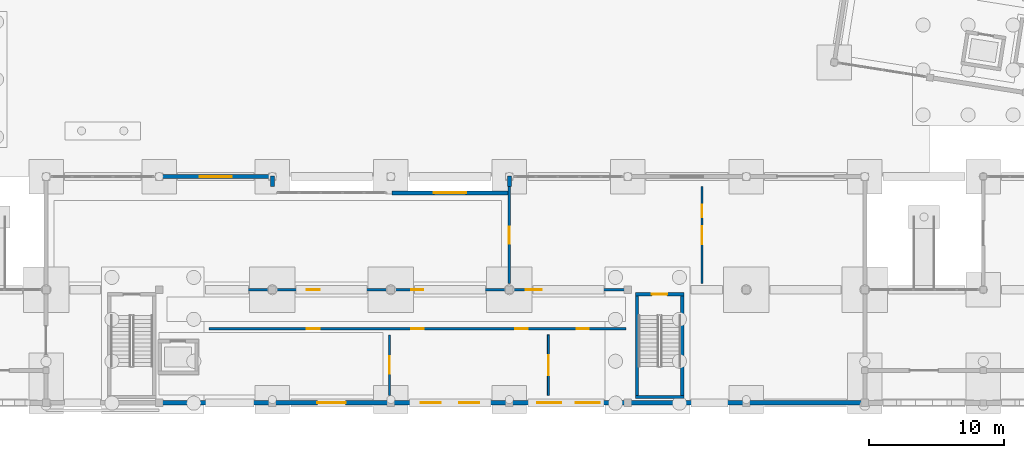
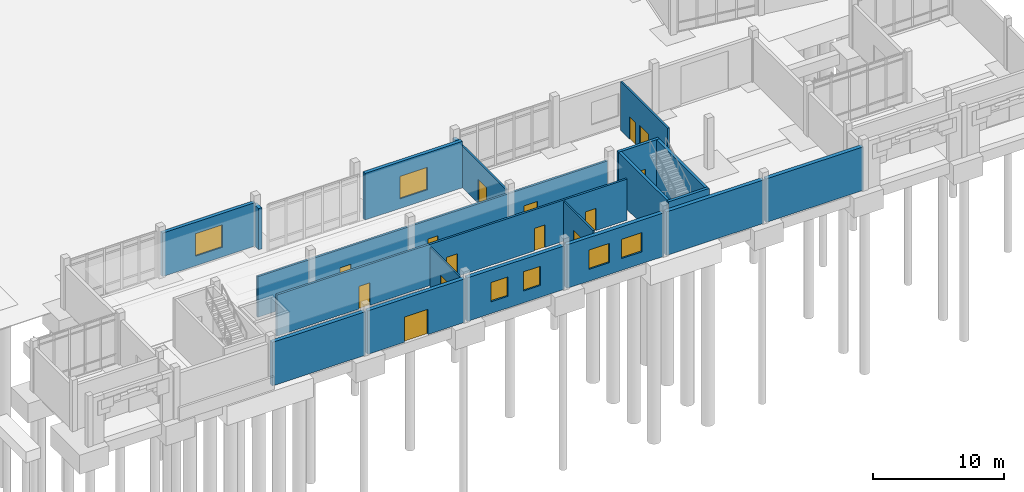
# One storey, part 44 of 72: 20 walls, 14 doors, 6 windows, 20 openings.
"""IFC4 building model written with IfcOpenShell, lengths in metres."""

from ifc_helpers import new_model, si_unit, direction, frame, frame_2d, origin, place, context, subcontext, project, spatial, rectangle, extrude, material, layer, layer_set, type_object, element, fill, save


model = new_model("IFC4")

# Units and contexts
model_context = context("Model", 3, precision=1e-05, world=origin(), true_north=direction((0.0, 1.0)))
body_context = subcontext(model_context, "Body", "Model", "MODEL_VIEW")
ifc_project = project(units=[si_unit("LENGTHUNIT", "METRE"), si_unit("AREAUNIT", "SQUARE_METRE"), si_unit("VOLUMEUNIT", "CUBIC_METRE"), si_unit("PLANEANGLEUNIT", "RADIAN"), si_unit("MASSUNIT", "GRAM", prefix="KILO")], contexts=[model_context])

# Site, building, storey
site_placement = place(None, origin())
site = spatial("IfcSite", under=ifc_project, at=site_placement, CompositionType="ELEMENT")
building_placement = place(site_placement, origin())
building = spatial("IfcBuilding", under=site, at=building_placement, Name="Cinderway Yard Community Centre", CompositionType="ELEMENT")
storey_placement = place(building_placement, origin())
storey = spatial("IfcBuildingStorey", under=building, at=storey_placement, Name="L00", CompositionType="ELEMENT", Elevation=0.0)

# Wall, opening, window
ifc_material_1 = material(Name="Brick Masonry", Category="masonry")
ifc_layer_1 = layer(ifc_material_1, 0.300048828125, Name="Brick Masonry")
ifc_layer_set_1 = layer_set([ifc_layer_1], Name="Brick Masonry")
wall_type_1 = type_object("IfcWallType", Name="ENV-WAL-EXT300", PredefinedType="SOLIDWALL", material=ifc_layer_set_1)
wall_1_placement = place(storey_placement, frame((66.89990234375, 22.800048828125, 0.0), z_axis=(0.0, 0.0, 1.0), x_axis=(1.0, 0.0, 0.0)))
wall_1 = element("IfcWall", 1, at=wall_1_placement, inside=storey, type_object=wall_type_1, Name="Dining North Brick Wall ENV-WAL-L00-0093", PredefinedType="SOLIDWALL", context=body_context, shape_type="SweptSolid", body=[
    extrude(rectangle(XDim=8.2001953125, YDim=0.300048828125, at=frame_2d((4.10009765625, 0.0))), origin(), (0.0, 0.0, 1.0), 4.06494140625),
])
opening_1_placement = place(wall_1_placement, frame((2.89990234375, 0.0, 0.89990234375)))
opening_1 = element("IfcOpeningElement", 2, at=opening_1_placement, cuts=wall_1, Name="Opening W-16", PredefinedType="OPENING", context=body_context, shape_type="SweptSolid", body=[
    extrude(rectangle(XDim=2.39990234375, YDim=2.10009765625, at=frame_2d((1.199951171875, 1.050048828125))), frame((0.0, 0.159912109375, 0.0), z_axis=(0.0, -1.0, 0.0), x_axis=(1.0, 0.0, 0.0)), (0.0, 0.0, 1.0), 0.320068359375),
])
ifc_material_2 = material(Name="Laminated Low-E Glass", Category="glass")
window_type_1 = type_object("IfcWindowType", Name="ENV-WIN-W16", PartitioningType="TRIPLE_PANEL_VERTICAL", PredefinedType="WINDOW", material=ifc_material_2)
window_1_placement = place(opening_1_placement, origin())
window_1 = element("IfcWindow", 3, at=window_1_placement, inside=storey, type_object=window_type_1, Name="Exterior window ENV-WIN-L00-0065", OverallHeight=2.10009765625, OverallWidth=2.39990234375, PartitioningType="SINGLE_PANEL", PredefinedType="WINDOW", context=body_context, shape_type="SweptSolid", body=[
    extrude(rectangle(XDim=2.39990234375, YDim=2.10009765625, at=frame_2d((1.199951171875, 1.050048828125))), frame((0.0, 0.030029296875, 0.0), z_axis=(0.0, -1.0, 0.0), x_axis=(1.0, 0.0, 0.0)), (0.0, 0.0, 1.0), 0.06005859375),
])
fill(opening_1, window_1)

wall_2_placement = place(storey_placement, frame((84.10009765625, 21.60009765625, 0.0), z_axis=(0.0, 0.0, 1.0), x_axis=(1.0, 0.0, 0.0)))
wall_2 = element("IfcWall", 4, at=wall_2_placement, inside=storey, type_object=wall_type_1, Name="Dining North Brick Wall ENV-WAL-L00-0096", PredefinedType="SOLIDWALL", context=body_context, shape_type="SweptSolid", body=[
    extrude(rectangle(XDim=8.599853515625, YDim=0.300048828125, at=frame_2d((4.2998046875, 0.0))), origin(), (0.0, 0.0, 1.0), 4.35009765625),
])
opening_2_placement = place(wall_2_placement, frame((3.10009765625, 0.0, 0.89990234375)))
opening_2 = element("IfcOpeningElement", 5, at=opening_2_placement, cuts=wall_2, Name="Opening W-16", PredefinedType="OPENING", context=body_context, shape_type="SweptSolid", body=[
    extrude(rectangle(XDim=2.39990234375, YDim=2.10009765625, at=frame_2d((1.199951171875, 1.050048828125))), frame((0.0, 0.159912109375, 0.0), z_axis=(0.0, -1.0, 0.0), x_axis=(1.0, 0.0, 0.0)), (0.0, 0.0, 1.0), 0.320068359375),
])
window_2_placement = place(opening_2_placement, origin())
window_2 = element("IfcWindow", 6, at=window_2_placement, inside=storey, type_object=window_type_1, Name="Exterior window ENV-WIN-L00-0066", OverallHeight=2.10009765625, OverallWidth=2.39990234375, PartitioningType="SINGLE_PANEL", PredefinedType="WINDOW", context=body_context, shape_type="SweptSolid", body=[
    extrude(rectangle(XDim=2.39990234375, YDim=2.10009765625, at=frame_2d((1.199951171875, 1.050048828125))), frame((0.0, 0.030029296875, 0.0), z_axis=(0.0, -1.0, 0.0), x_axis=(1.0, 0.0, 0.0)), (0.0, 0.0, 1.0), 0.06005859375),
])
fill(opening_2, window_2)

# Walls
for number, where, z_axis, x_axis, name in (
    (7, (75.199951171875, 22.080078125, 0.0), (0.0, 0.0, 1.0), (0.0, 1.0, 0.0), "Dining Step Cheek W ENV-WAL-L00-0253"),
    (8, (92.800048828125, 22.080078125, 0.0), (0.0, 0.0, 1.0), (0.0, 1.0, 0.0), "Dining Step Cheek E ENV-WAL-L00-0254"),
):
    element("IfcWall", number, at=place(storey_placement, frame(where, z_axis=z_axis, x_axis=x_axis)), inside=storey, type_object=wall_type_1, Name=name, PredefinedType="SOLIDWALL", context=body_context, shape_type="SweptSolid", body=[
        extrude(rectangle(XDim=0.77001953125, YDim=0.300048828125, at=frame_2d((0.385009765625, 0.0))), origin(), (0.0, 0.0, 1.0), 3.844970703125),
    ])
ifc_layer_2 = layer(ifc_material_1, 0.340087890625, Name="Brick Masonry")
ifc_layer_set_2 = layer_set([ifc_layer_2], Name="Brick Masonry")
wall_type_2 = type_object("IfcWallType", Name="ENV-WAL-EXT340", PredefinedType="SOLIDWALL", material=ifc_layer_set_2)
wall_3_placement = place(storey_placement, frame((66.89990234375, 6.0, 0.0), z_axis=(0.0, 0.0, 1.0), x_axis=(1.0, 0.0, 0.0)))
element("IfcWall", 9, at=wall_3_placement, inside=storey, type_object=wall_type_2, Name="Dining South Brick Wall ENV-WAL-L00-0094", PredefinedType="SOLIDWALL", context=body_context, shape_type="SweptSolid", body=[
    extrude(rectangle(XDim=8.2001953125, YDim=0.340087890625, at=frame_2d((4.10009765625, 0.0))), origin(), (0.0, 0.0, 1.0), 4.06494140625),
])

# Wall, opening, door
wall_4_placement = place(storey_placement, frame((75.300048828125, 6.0, 0.0), z_axis=(0.0, 0.0, 1.0), x_axis=(1.0, 0.0, 0.0)))
wall_4 = element("IfcWall", 10, at=wall_4_placement, inside=storey, type_object=wall_type_2, Name="Dining South Brick Wall ENV-WAL-L00-0095", PredefinedType="SOLIDWALL", context=body_context, shape_type="SweptSolid", body=[
    extrude(rectangle(XDim=8.599853515625, YDim=0.340087890625, at=frame_2d((4.2998046875, 0.0))), origin(), (0.0, 0.0, 1.0), 4.06494140625),
])
opening_3_placement = place(wall_4_placement, frame((3.25, 0.0, 0.0)))
opening_3 = element("IfcOpeningElement", 11, at=opening_3_placement, cuts=wall_4, Name="Opening D-EX2", PredefinedType="OPENING", context=body_context, shape_type="SweptSolid", body=[
    extrude(rectangle(XDim=2.10009765625, YDim=2.35009765625, at=frame_2d((1.050048828125, 1.175048828125))), frame((0.0, 0.179931640625, 0.0), z_axis=(0.0, -1.0, 0.0), x_axis=(1.0, 0.0, 0.0)), (0.0, 0.0, 1.0), 0.360107421875),
])
ifc_material_3 = material(Name="Aluminium 6063-T6", Category="aluminium")
door_type_1 = type_object("IfcDoorType", Name="INT-DOR-EXT210", OperationType="DOUBLE_DOOR_SINGLE_SWING", PredefinedType="DOOR", material=ifc_material_3)
door_1_placement = place(opening_3_placement, origin())
door_1 = element("IfcDoor", 12, at=door_1_placement, inside=storey, type_object=door_type_1, Name="Kitchen South Exit EXT-DOR-L00-0073", OperationType="DOUBLE_DOOR_SINGLE_SWING", OverallHeight=2.35009765625, OverallWidth=2.10009765625, PredefinedType="DOOR", context=body_context, shape_type="SweptSolid", body=[
    extrude(rectangle(XDim=2.10009765625, YDim=2.35009765625, at=frame_2d((1.050048828125, 1.175048828125))), frame((0.0, 0.02490234375, 0.0), z_axis=(0.0, -1.0, 0.0), x_axis=(1.0, 0.0, 0.0)), (0.0, 0.0, 1.0), 0.050048828125),
])
fill(opening_3, door_1)

# Wall, openings, windows
wall_5_placement = place(storey_placement, frame((84.10009765625, 6.0, 0.0), z_axis=(0.0, 0.0, 1.0), x_axis=(1.0, 0.0, 0.0)))
wall_5 = element("IfcWall", 13, at=wall_5_placement, inside=storey, type_object=wall_type_2, Name="Dining South Brick Wall ENV-WAL-L00-0097", PredefinedType="SOLIDWALL", context=body_context, shape_type="SweptSolid", body=[
    extrude(rectangle(XDim=8.599853515625, YDim=0.340087890625, at=frame_2d((4.2998046875, 0.0))), origin(), (0.0, 0.0, 1.0), 4.06494140625),
])
opening_4_placement = place(wall_5_placement, frame((2.116943359375, 0.0, 1.10009765625)))
opening_4 = element("IfcOpeningElement", 14, at=opening_4_placement, cuts=wall_5, Name="Opening W-07", PredefinedType="OPENING", context=body_context, shape_type="SweptSolid", body=[
    extrude(rectangle(XDim=1.5, YDim=1.800048828125, at=frame_2d((0.75, 0.89990234375))), frame((0.0, 0.179931640625, 0.0), z_axis=(0.0, -1.0, 0.0), x_axis=(1.0, 0.0, 0.0)), (0.0, 0.0, 1.0), 0.360107421875),
])
opening_5_placement = place(wall_5_placement, frame((4.98291015625, 0.0, 1.10009765625)))
opening_5 = element("IfcOpeningElement", 15, at=opening_5_placement, cuts=wall_5, Name="Opening W-07", PredefinedType="OPENING", context=body_context, shape_type="SweptSolid", body=[
    extrude(rectangle(XDim=1.5, YDim=1.800048828125, at=frame_2d((0.75, 0.89990234375))), frame((0.0, 0.179931640625, 0.0), z_axis=(0.0, -1.0, 0.0), x_axis=(1.0, 0.0, 0.0)), (0.0, 0.0, 1.0), 0.360107421875),
])
window_type_2 = type_object("IfcWindowType", Name="ENV-WIN-W07", PartitioningType="DOUBLE_PANEL_VERTICAL", PredefinedType="WINDOW", material=ifc_material_2)
window_3_placement = place(opening_4_placement, origin())
window_3 = element("IfcWindow", 16, at=window_3_placement, inside=storey, type_object=window_type_2, Name="Exterior window ENV-WIN-L00-0067", OverallHeight=1.800048828125, OverallWidth=1.5, PartitioningType="SINGLE_PANEL", PredefinedType="WINDOW", context=body_context, shape_type="SweptSolid", body=[
    extrude(rectangle(XDim=1.5, YDim=1.800048828125, at=frame_2d((0.75, 0.89990234375))), frame((0.0, 0.030029296875, 0.0), z_axis=(0.0, -1.0, 0.0), x_axis=(1.0, 0.0, 0.0)), (0.0, 0.0, 1.0), 0.06005859375),
])
fill(opening_4, window_3)
window_4_placement = place(opening_5_placement, origin())
window_4 = element("IfcWindow", 17, at=window_4_placement, inside=storey, type_object=window_type_2, Name="Exterior window ENV-WIN-L00-0068", OverallHeight=1.800048828125, OverallWidth=1.5, PartitioningType="SINGLE_PANEL", PredefinedType="WINDOW", context=body_context, shape_type="SweptSolid", body=[
    extrude(rectangle(XDim=1.5, YDim=1.800048828125, at=frame_2d((0.75, 0.89990234375))), frame((0.0, 0.030029296875, 0.0), z_axis=(0.0, -1.0, 0.0), x_axis=(1.0, 0.0, 0.0)), (0.0, 0.0, 1.0), 0.06005859375),
])
fill(opening_5, window_4)

wall_6_placement = place(storey_placement, frame((92.89990234375, 6.0, 0.0), z_axis=(0.0, 0.0, 1.0), x_axis=(1.0, 0.0, 0.0)))
wall_6 = element("IfcWall", 18, at=wall_6_placement, inside=storey, type_object=wall_type_2, Name="Dining South Brick Wall ENV-WAL-L00-0098", PredefinedType="SOLIDWALL", context=body_context, shape_type="SweptSolid", body=[
    extrude(rectangle(XDim=8.60009765625, YDim=0.340087890625, at=frame_2d((4.300048828125, 0.0))), origin(), (0.0, 0.0, 1.0), 4.06494140625),
])
opening_6_placement = place(wall_6_placement, frame((1.967041015625, 0.0, 1.10009765625)))
opening_6 = element("IfcOpeningElement", 19, at=opening_6_placement, cuts=wall_6, Name="Opening W-08", PredefinedType="OPENING", context=body_context, shape_type="SweptSolid", body=[
    extrude(rectangle(XDim=1.800048828125, YDim=1.800048828125, at=frame_2d((0.89990234375, 0.89990234375))), frame((0.0, 0.179931640625, 0.0), z_axis=(0.0, -1.0, 0.0), x_axis=(1.0, 0.0, 0.0)), (0.0, 0.0, 1.0), 0.360107421875),
])
opening_7_placement = place(wall_6_placement, frame((4.8330078125, 0.0, 1.10009765625)))
opening_7 = element("IfcOpeningElement", 20, at=opening_7_placement, cuts=wall_6, Name="Opening W-08", PredefinedType="OPENING", context=body_context, shape_type="SweptSolid", body=[
    extrude(rectangle(XDim=1.800048828125, YDim=1.800048828125, at=frame_2d((0.89990234375, 0.89990234375))), frame((0.0, 0.179931640625, 0.0), z_axis=(0.0, -1.0, 0.0), x_axis=(1.0, 0.0, 0.0)), (0.0, 0.0, 1.0), 0.360107421875),
])
window_type_3 = type_object("IfcWindowType", Name="ENV-WIN-W08", PartitioningType="DOUBLE_PANEL_VERTICAL", PredefinedType="WINDOW", material=ifc_material_2)
window_5_placement = place(opening_6_placement, origin())
window_5 = element("IfcWindow", 21, at=window_5_placement, inside=storey, type_object=window_type_3, Name="Exterior window ENV-WIN-L00-0069", OverallHeight=1.800048828125, OverallWidth=1.800048828125, PartitioningType="SINGLE_PANEL", PredefinedType="WINDOW", context=body_context, shape_type="SweptSolid", body=[
    extrude(rectangle(XDim=1.800048828125, YDim=1.800048828125, at=frame_2d((0.89990234375, 0.89990234375))), frame((0.0, 0.030029296875, 0.0), z_axis=(0.0, -1.0, 0.0), x_axis=(1.0, 0.0, 0.0)), (0.0, 0.0, 1.0), 0.06005859375),
])
fill(opening_6, window_5)
window_6_placement = place(opening_7_placement, origin())
window_6 = element("IfcWindow", 22, at=window_6_placement, inside=storey, type_object=window_type_3, Name="Exterior window ENV-WIN-L00-0070", OverallHeight=1.800048828125, OverallWidth=1.800048828125, PartitioningType="SINGLE_PANEL", PredefinedType="WINDOW", context=body_context, shape_type="SweptSolid", body=[
    extrude(rectangle(XDim=1.800048828125, YDim=1.800048828125, at=frame_2d((0.89990234375, 0.89990234375))), frame((0.0, 0.030029296875, 0.0), z_axis=(0.0, -1.0, 0.0), x_axis=(1.0, 0.0, 0.0)), (0.0, 0.0, 1.0), 0.06005859375),
])
fill(opening_7, window_6)

# Walls
for number, where, z_axis, x_axis, name in (
    (23, (101.699951171875, 6.0, 0.0), (0.0, 0.0, 1.0), (1.0, 0.0, 0.0), "Dining South Brick Wall ENV-WAL-L00-0100"),
    (24, (110.5, 6.0, 0.0), (0.0, 0.0, 1.0), (1.0, 0.0, 0.0), "Dining South Brick Wall ENV-WAL-L00-0102"),
):
    element("IfcWall", number, at=place(storey_placement, frame(where, z_axis=z_axis, x_axis=x_axis)), inside=storey, type_object=wall_type_2, Name=name, PredefinedType="SOLIDWALL", context=body_context, shape_type="SweptSolid", body=[
        extrude(rectangle(XDim=8.60009765625, YDim=0.340087890625, at=frame_2d((4.300048828125, 0.0))), origin(), (0.0, 0.0, 1.0), 4.06494140625),
    ])

# Wall, opening, door
ifc_material_4 = material(Name="Gypsum Board Partition", Category="gypsum")
ifc_layer_3 = layer(ifc_material_4, 0.139892578125, Name="Gypsum Board Partition")
ifc_layer_set_3 = layer_set([ifc_layer_3], Name="Gypsum Board Partition")
wall_type_3 = type_object("IfcWallType", Name="INT-WAL-PRT140", PredefinedType="PARTITIONING", material=ifc_layer_set_3)
wall_7_placement = place(storey_placement, frame((83.89990234375, 6.550048828125, 0.0), z_axis=(0.0, 0.0, 1.0), x_axis=(0.0, 1.0, 0.0)))
wall_7 = element("IfcWall", 25, at=wall_7_placement, inside=storey, type_object=wall_type_3, Name="V3 South Room Divider INT-PRT-L00-0263", PredefinedType="PARTITIONING", context=body_context, shape_type="SweptSolid", body=[
    extrude(rectangle(XDim=4.5, YDim=0.139892578125, at=frame_2d((2.25, 0.0))), origin(), (0.0, 0.0, 1.0), 3.844970703125),
])
opening_8_placement = place(wall_7_placement, frame((1.60009765625, 0.0, 0.0)))
opening_8 = element("IfcOpeningElement", 26, at=opening_8_placement, cuts=wall_7, Name="Opening D-12", PredefinedType="OPENING", context=body_context, shape_type="SweptSolid", body=[
    extrude(rectangle(XDim=1.300048828125, YDim=2.199951171875, at=frame_2d((0.64990234375, 1.10009765625))), frame((0.0, 0.079833984375, 0.0), z_axis=(0.0, -1.0, 0.0), x_axis=(1.0, 0.0, 0.0)), (0.0, 0.0, 1.0), 0.159912109375),
])
ifc_material_5 = material(Name="Painted Galvanised Steel", Category="steel")
door_type_2 = type_object("IfcDoorType", Name="INT-DOR-PLT130", OperationType="NOTDEFINED", PredefinedType="DOOR", material=ifc_material_5)
door_2_placement = place(opening_8_placement, origin())
door_2 = element("IfcDoor", 27, at=door_2_placement, inside=storey, type_object=door_type_2, Name="Room door INT-DOR-L00-0124", OperationType="SINGLE_SWING_RIGHT", OverallHeight=2.199951171875, OverallWidth=1.300048828125, PredefinedType="DOOR", context=body_context, shape_type="SweptSolid", body=[
    extrude(rectangle(XDim=1.300048828125, YDim=2.199951171875, at=frame_2d((0.64990234375, 1.10009765625))), frame((0.0, 0.02490234375, 0.0), z_axis=(0.0, -1.0, 0.0), x_axis=(1.0, 0.0, 0.0)), (0.0, 0.0, 1.0), 0.050048828125),
])
fill(opening_8, door_2)

wall_8_placement = place(storey_placement, frame((95.699951171875, 6.550048828125, 0.0), z_axis=(0.0, 0.0, 1.0), x_axis=(0.0, 1.0, 0.0)))
wall_8 = element("IfcWall", 28, at=wall_8_placement, inside=storey, type_object=wall_type_3, Name="V3 South Room Divider INT-PRT-L00-0264", PredefinedType="PARTITIONING", context=body_context, shape_type="SweptSolid", body=[
    extrude(rectangle(XDim=4.5, YDim=0.139892578125, at=frame_2d((2.25, 0.0))), origin(), (0.0, 0.0, 1.0), 4.02490234375),
])
opening_9_placement = place(wall_8_placement, frame((1.5, 0.0, 0.0)))
opening_9 = element("IfcOpeningElement", 29, at=opening_9_placement, cuts=wall_8, Name="Opening D-13", PredefinedType="OPENING", context=body_context, shape_type="SweptSolid", body=[
    extrude(rectangle(XDim=1.5, YDim=2.25, at=frame_2d((0.75, 1.125))), frame((0.0, 0.079833984375, 0.0), z_axis=(0.0, -1.0, 0.0), x_axis=(1.0, 0.0, 0.0)), (0.0, 0.0, 1.0), 0.159912109375),
])
door_type_3 = type_object("IfcDoorType", Name="INT-DOR-PLT150", OperationType="DOUBLE_DOOR_SINGLE_SWING", PredefinedType="DOOR", material=ifc_material_5)
door_3_placement = place(opening_9_placement, origin())
door_3 = element("IfcDoor", 30, at=door_3_placement, inside=storey, type_object=door_type_3, Name="Room door INT-DOR-L00-0125", OperationType="DOUBLE_DOOR_SINGLE_SWING", OverallHeight=2.25, OverallWidth=1.5, PredefinedType="DOOR", context=body_context, shape_type="SweptSolid", body=[
    extrude(rectangle(XDim=1.5, YDim=2.25, at=frame_2d((0.75, 1.125))), frame((0.0, 0.02490234375, 0.0), z_axis=(0.0, -1.0, 0.0), x_axis=(1.0, 0.0, 0.0)), (0.0, 0.0, 1.0), 0.050048828125),
])
fill(opening_9, door_3)

ifc_layer_4 = layer(ifc_material_4, 0.159912109375, Name="Gypsum Board Partition")
ifc_layer_set_4 = layer_set([ifc_layer_4], Name="Gypsum Board Partition")
wall_type_4 = type_object("IfcWallType", Name="INT-WAL-PRT160", PredefinedType="PARTITIONING", material=ifc_layer_set_4)
wall_9_placement = place(storey_placement, frame((92.800048828125, 14.85009765625, 0.0), z_axis=(0.0, 0.0, 1.0), x_axis=(0.0, 1.0, 0.0)))
wall_9 = element("IfcWall", 31, at=wall_9_placement, inside=storey, type_object=wall_type_4, Name="V3 North Room Divider INT-PRT-L00-0265", PredefinedType="PARTITIONING", context=body_context, shape_type="SweptSolid", body=[
    extrude(rectangle(XDim=7.199951171875, YDim=0.159912109375, at=frame_2d((3.60009765625, 0.0))), origin(), (0.0, 0.0, 1.0), 3.844970703125),
])
opening_10_placement = place(wall_9_placement, frame((2.97998046875, 0.0, 0.0)))
opening_10 = element("IfcOpeningElement", 32, at=opening_10_placement, cuts=wall_9, Name="Opening D-14", PredefinedType="OPENING", context=body_context, shape_type="SweptSolid", body=[
    extrude(rectangle(XDim=1.239990234375, YDim=2.199951171875, at=frame_2d((0.6201171875, 1.10009765625))), frame((0.0, 0.08984375, 0.0), z_axis=(0.0, -1.0, 0.0), x_axis=(1.0, 0.0, 0.0)), (0.0, 0.0, 1.0), 0.179931640625),
])
ifc_material_6 = material(Name="Hardwood Timber", Category="wood")
door_type_4 = type_object("IfcDoorType", Name="INT-DOR-STU124", OperationType="NOTDEFINED", PredefinedType="DOOR", material=ifc_material_6)
door_4_placement = place(opening_10_placement, origin())
door_4 = element("IfcDoor", 33, at=door_4_placement, inside=storey, type_object=door_type_4, Name="Room door INT-DOR-L00-0126", OperationType="SINGLE_SWING_LEFT", OverallHeight=2.199951171875, OverallWidth=1.239990234375, PredefinedType="DOOR", context=body_context, shape_type="SweptSolid", body=[
    extrude(rectangle(XDim=1.239990234375, YDim=2.199951171875, at=frame_2d((0.6201171875, 1.10009765625))), frame((0.0, 0.02490234375, 0.0), z_axis=(0.0, -1.0, 0.0), x_axis=(1.0, 0.0, 0.0)), (0.0, 0.0, 1.0), 0.050048828125),
])
fill(opening_10, door_4)

# Wall, openings, doors
wall_10_placement = place(storey_placement, frame((107.10009765625, 14.85009765625, 0.0), z_axis=(0.0, 0.0, 1.0), x_axis=(0.0, 1.0, 0.0)))
wall_10 = element("IfcWall", 34, at=wall_10_placement, inside=storey, type_object=wall_type_4, Name="V3 North Room Divider INT-PRT-L00-0266", PredefinedType="PARTITIONING", context=body_context, shape_type="SweptSolid", body=[
    extrude(rectangle(XDim=7.199951171875, YDim=0.159912109375, at=frame_2d((3.60009765625, 0.0))), origin(), (0.0, 0.0, 1.0), 4.544921875),
])
opening_11_placement = place(wall_10_placement, frame((2.919921875, 0.0, 0.0)))
opening_11 = element("IfcOpeningElement", 35, at=opening_11_placement, cuts=wall_10, Name="Opening D-15", PredefinedType="OPENING", context=body_context, shape_type="SweptSolid", body=[
    extrude(rectangle(XDim=1.360107421875, YDim=2.219970703125, at=frame_2d((0.68017578125, 1.10986328125))), frame((0.0, 0.08984375, 0.0), z_axis=(0.0, -1.0, 0.0), x_axis=(1.0, 0.0, 0.0)), (0.0, 0.0, 1.0), 0.179931640625),
])
opening_12_placement = place(wall_10_placement, frame((4.949951171875, 0.0, 0.0)))
opening_12 = element("IfcOpeningElement", 36, at=opening_12_placement, cuts=wall_10, Name="Opening D-10", PredefinedType="OPENING", context=body_context, shape_type="SweptSolid", body=[
    extrude(rectangle(XDim=0.89990234375, YDim=2.06005859375, at=frame_2d((0.449951171875, 1.030029296875))), frame((0.0, 0.08984375, 0.0), z_axis=(0.0, -1.0, 0.0), x_axis=(1.0, 0.0, 0.0)), (0.0, 0.0, 1.0), 0.179931640625),
])
door_type_5 = type_object("IfcDoorType", Name="INT-DOR-SAN090", OperationType="NOTDEFINED", PredefinedType="DOOR", material=ifc_material_6)
door_5_placement = place(opening_12_placement, origin())
door_5 = element("IfcDoor", 37, at=door_5_placement, inside=storey, type_object=door_type_5, Name="Screened Receiving & Loading Bay Door INT-DOR-L00-0293", OperationType="SINGLE_SWING_LEFT", OverallHeight=2.06005859375, OverallWidth=0.89990234375, PredefinedType="DOOR", context=body_context, shape_type="SweptSolid", body=[
    extrude(rectangle(XDim=0.89990234375, YDim=2.06005859375, at=frame_2d((0.449951171875, 1.030029296875))), frame((0.0, 0.02490234375, 0.0), z_axis=(0.0, -1.0, 0.0), x_axis=(1.0, 0.0, 0.0)), (0.0, 0.0, 1.0), 0.050048828125),
])
fill(opening_12, door_5)
door_type_6 = type_object("IfcDoorType", Name="INT-DOR-STU136", OperationType="DOUBLE_DOOR_SINGLE_SWING", PredefinedType="DOOR", material=ifc_material_6)
door_6_placement = place(opening_11_placement, origin())
door_6 = element("IfcDoor", 38, at=door_6_placement, inside=storey, type_object=door_type_6, Name="Room door INT-DOR-L00-0127", OperationType="DOUBLE_DOOR_SINGLE_SWING", OverallHeight=2.219970703125, OverallWidth=1.360107421875, PredefinedType="DOOR", context=body_context, shape_type="SweptSolid", body=[
    extrude(rectangle(XDim=1.360107421875, YDim=2.219970703125, at=frame_2d((0.68017578125, 1.10986328125))), frame((0.0, 0.02490234375, 0.0), z_axis=(0.0, -1.0, 0.0), x_axis=(1.0, 0.0, 0.0)), (0.0, 0.0, 1.0), 0.050048828125),
])
fill(opening_11, door_6)

ifc_layer_5 = layer(ifc_material_1, 0.179931640625, Name="Brick Masonry")
ifc_layer_set_5 = layer_set([ifc_layer_5], Name="Brick Masonry")
wall_type_5 = type_object("IfcWallType", Name="INT-WAL-PRT180", PredefinedType="PARTITIONING", material=ifc_layer_set_5)
wall_11_placement = place(storey_placement, frame((70.5, 11.5, 0.0), z_axis=(0.0, 0.0, 1.0), x_axis=(1.0, 0.0, 0.0)))
wall_11 = element("IfcWall", 39, at=wall_11_placement, inside=storey, type_object=wall_type_5, Name="V3 South Corridor Wall INT-PRT-L00-0261", PredefinedType="PARTITIONING", context=body_context, shape_type="SweptSolid", body=[
    extrude(rectangle(XDim=30.949951171875, YDim=0.179931640625, at=frame_2d((15.47509765625, 0.0))), origin(), (0.0, 0.0, 1.0), 3.844970703125),
])
opening_13_placement = place(wall_11_placement, frame((7.2470703125, 0.0, 0.0)))
opening_13 = element("IfcOpeningElement", 40, at=opening_13_placement, cuts=wall_11, Name="Opening D-06", PredefinedType="OPENING", context=body_context, shape_type="SweptSolid", body=[
    extrude(rectangle(XDim=0.97998046875, YDim=2.1201171875, at=frame_2d((0.489990234375, 1.06005859375))), frame((0.0, 0.099853515625, 0.0), z_axis=(0.0, -1.0, 0.0), x_axis=(1.0, 0.0, 0.0)), (0.0, 0.0, 1.0), 0.199951171875),
])
opening_14_placement = place(wall_11_placement, frame((15.0, 0.0, 0.0)))
opening_14 = element("IfcOpeningElement", 41, at=opening_14_placement, cuts=wall_11, Name="Opening D-07", PredefinedType="OPENING", context=body_context, shape_type="SweptSolid", body=[
    extrude(rectangle(XDim=0.949951171875, YDim=2.1201171875, at=frame_2d((0.47509765625, 1.06005859375))), frame((0.0, 0.099853515625, 0.0), z_axis=(0.0, -1.0, 0.0), x_axis=(1.0, 0.0, 0.0)), (0.0, 0.0, 1.0), 0.199951171875),
])
opening_15_placement = place(wall_11_placement, frame((22.7529296875, 0.0, 0.0)))
opening_15 = element("IfcOpeningElement", 42, at=opening_15_placement, cuts=wall_11, Name="Opening D-08", PredefinedType="OPENING", context=body_context, shape_type="SweptSolid", body=[
    extrude(rectangle(XDim=0.919921875, YDim=2.10009765625, at=frame_2d((0.4599609375, 1.050048828125))), frame((0.0, 0.099853515625, 0.0), z_axis=(0.0, -1.0, 0.0), x_axis=(1.0, 0.0, 0.0)), (0.0, 0.0, 1.0), 0.199951171875),
])
opening_16_placement = place(wall_11_placement, frame((27.2919921875, 0.0, 0.0)))
opening_16 = element("IfcOpeningElement", 43, at=opening_16_placement, cuts=wall_11, Name="Opening D-10", PredefinedType="OPENING", context=body_context, shape_type="SweptSolid", body=[
    extrude(rectangle(XDim=0.89990234375, YDim=2.06005859375, at=frame_2d((0.449951171875, 1.030029296875))), frame((0.0, 0.099853515625, 0.0), z_axis=(0.0, -1.0, 0.0), x_axis=(1.0, 0.0, 0.0)), (0.0, 0.0, 1.0), 0.199951171875),
])
door_type_7 = type_object("IfcDoorType", Name="INT-DOR-OFF092", OperationType="NOTDEFINED", PredefinedType="DOOR", material=ifc_material_6)
door_7_placement = place(opening_15_placement, origin())
door_7 = element("IfcDoor", 44, at=door_7_placement, inside=storey, type_object=door_type_7, Name="Room door INT-DOR-L00-0120", OperationType="SINGLE_SWING_RIGHT", OverallHeight=2.10009765625, OverallWidth=0.919921875, PredefinedType="DOOR", context=body_context, shape_type="SweptSolid", body=[
    extrude(rectangle(XDim=0.919921875, YDim=2.10009765625, at=frame_2d((0.4599609375, 1.050048828125))), frame((0.0, 0.02490234375, 0.0), z_axis=(0.0, -1.0, 0.0), x_axis=(1.0, 0.0, 0.0)), (0.0, 0.0, 1.0), 0.050048828125),
])
fill(opening_15, door_7)
door_type_8 = type_object("IfcDoorType", Name="INT-DOR-OFF095", OperationType="NOTDEFINED", PredefinedType="DOOR", material=ifc_material_6)
door_8_placement = place(opening_14_placement, origin())
door_8 = element("IfcDoor", 45, at=door_8_placement, inside=storey, type_object=door_type_8, Name="Room door INT-DOR-L00-0119", OperationType="SINGLE_SWING_LEFT", OverallHeight=2.1201171875, OverallWidth=0.949951171875, PredefinedType="DOOR", context=body_context, shape_type="SweptSolid", body=[
    extrude(rectangle(XDim=0.949951171875, YDim=2.1201171875, at=frame_2d((0.47509765625, 1.06005859375))), frame((0.0, 0.02490234375, 0.0), z_axis=(0.0, -1.0, 0.0), x_axis=(1.0, 0.0, 0.0)), (0.0, 0.0, 1.0), 0.050048828125),
])
fill(opening_14, door_8)
door_type_9 = type_object("IfcDoorType", Name="INT-DOR-OFF098", OperationType="NOTDEFINED", PredefinedType="DOOR", material=ifc_material_6)
door_9_placement = place(opening_13_placement, origin())
door_9 = element("IfcDoor", 46, at=door_9_placement, inside=storey, type_object=door_type_9, Name="Room door INT-DOR-L00-0118", OperationType="SINGLE_SWING_RIGHT", OverallHeight=2.1201171875, OverallWidth=0.97998046875, PredefinedType="DOOR", context=body_context, shape_type="SweptSolid", body=[
    extrude(rectangle(XDim=0.97998046875, YDim=2.1201171875, at=frame_2d((0.489990234375, 1.06005859375))), frame((0.0, 0.02490234375, 0.0), z_axis=(0.0, -1.0, 0.0), x_axis=(1.0, 0.0, 0.0)), (0.0, 0.0, 1.0), 0.050048828125),
])
fill(opening_13, door_9)
door_10_placement = place(opening_16_placement, origin())
door_10 = element("IfcDoor", 47, at=door_10_placement, inside=storey, type_object=door_type_5, Name="Dining Public Toilets & Accessible WC Door INT-DOR-L00-0292", OperationType="SINGLE_SWING_RIGHT", OverallHeight=2.06005859375, OverallWidth=0.89990234375, PredefinedType="DOOR", context=body_context, shape_type="SweptSolid", body=[
    extrude(rectangle(XDim=0.89990234375, YDim=2.06005859375, at=frame_2d((0.449951171875, 1.030029296875))), frame((0.0, 0.02490234375, 0.0), z_axis=(0.0, -1.0, 0.0), x_axis=(1.0, 0.0, 0.0)), (0.0, 0.0, 1.0), 0.050048828125),
])
fill(opening_16, door_10)

wall_12_placement = place(storey_placement, frame((70.5, 14.39990234375, 0.0), z_axis=(0.0, 0.0, 1.0), x_axis=(1.0, 0.0, 0.0)))
wall_12 = element("IfcWall", 48, at=wall_12_placement, inside=storey, type_object=wall_type_5, Name="V3 North Corridor Wall INT-PRT-L00-0262", PredefinedType="PARTITIONING", context=body_context, shape_type="SweptSolid", body=[
    extrude(rectangle(XDim=30.949951171875, YDim=0.179931640625, at=frame_2d((15.47509765625, 0.0))), origin(), (0.0, 0.0, 1.0), 3.794921875),
])
opening_17_placement = place(wall_12_placement, frame((7.257080078125, 0.0, 0.0)))
opening_17 = element("IfcOpeningElement", 49, at=opening_17_placement, cuts=wall_12, Name="Opening D-09", PredefinedType="OPENING", context=body_context, shape_type="SweptSolid", body=[
    extrude(rectangle(XDim=0.9599609375, YDim=2.080078125, at=frame_2d((0.47998046875, 1.0400390625))), frame((0.0, 0.099853515625, 0.0), z_axis=(0.0, -1.0, 0.0), x_axis=(1.0, 0.0, 0.0)), (0.0, 0.0, 1.0), 0.199951171875),
])
opening_18_placement = place(wall_12_placement, frame((15.02490234375, 0.0, 0.0)))
opening_18 = element("IfcOpeningElement", 50, at=opening_18_placement, cuts=wall_12, Name="Opening D-10", PredefinedType="OPENING", context=body_context, shape_type="SweptSolid", body=[
    extrude(rectangle(XDim=0.89990234375, YDim=2.06005859375, at=frame_2d((0.449951171875, 1.030029296875))), frame((0.0, 0.099853515625, 0.0), z_axis=(0.0, -1.0, 0.0), x_axis=(1.0, 0.0, 0.0)), (0.0, 0.0, 1.0), 0.199951171875),
])
opening_19_placement = place(wall_12_placement, frame((23.52294921875, 0.0, 0.0)))
opening_19 = element("IfcOpeningElement", 51, at=opening_19_placement, cuts=wall_12, Name="Opening D-11", PredefinedType="OPENING", context=body_context, shape_type="SweptSolid", body=[
    extrude(rectangle(XDim=1.179931640625, YDim=2.179931640625, at=frame_2d((0.58984375, 1.08984375))), frame((0.0, 0.099853515625, 0.0), z_axis=(0.0, -1.0, 0.0), x_axis=(1.0, 0.0, 0.0)), (0.0, 0.0, 1.0), 0.199951171875),
])
door_11_placement = place(opening_18_placement, origin())
door_11 = element("IfcDoor", 52, at=door_11_placement, inside=storey, type_object=door_type_5, Name="Room door INT-DOR-L00-0122", OperationType="SINGLE_SWING_RIGHT", OverallHeight=2.06005859375, OverallWidth=0.89990234375, PredefinedType="DOOR", context=body_context, shape_type="SweptSolid", body=[
    extrude(rectangle(XDim=0.89990234375, YDim=2.06005859375, at=frame_2d((0.449951171875, 1.030029296875))), frame((0.0, 0.02490234375, 0.0), z_axis=(0.0, -1.0, 0.0), x_axis=(1.0, 0.0, 0.0)), (0.0, 0.0, 1.0), 0.050048828125),
])
fill(opening_18, door_11)
door_type_10 = type_object("IfcDoorType", Name="INT-DOR-SAN096", OperationType="NOTDEFINED", PredefinedType="DOOR", material=ifc_material_6)
door_12_placement = place(opening_17_placement, origin())
door_12 = element("IfcDoor", 53, at=door_12_placement, inside=storey, type_object=door_type_10, Name="Room door INT-DOR-L00-0121", OperationType="SINGLE_SWING_LEFT", OverallHeight=2.080078125, OverallWidth=0.9599609375, PredefinedType="DOOR", context=body_context, shape_type="SweptSolid", body=[
    extrude(rectangle(XDim=0.9599609375, YDim=2.080078125, at=frame_2d((0.47998046875, 1.0400390625))), frame((0.0, 0.02490234375, 0.0), z_axis=(0.0, -1.0, 0.0), x_axis=(1.0, 0.0, 0.0)), (0.0, 0.0, 1.0), 0.050048828125),
])
fill(opening_17, door_12)
door_type_11 = type_object("IfcDoorType", Name="INT-DOR-STR118", OperationType="NOTDEFINED", PredefinedType="DOOR", material=ifc_material_5)
door_13_placement = place(opening_19_placement, origin())
door_13 = element("IfcDoor", 54, at=door_13_placement, inside=storey, type_object=door_type_11, Name="Room door INT-DOR-L00-0123", OperationType="SINGLE_SWING_LEFT", OverallHeight=2.179931640625, OverallWidth=1.179931640625, PredefinedType="DOOR", context=body_context, shape_type="SweptSolid", body=[
    extrude(rectangle(XDim=1.179931640625, YDim=2.179931640625, at=frame_2d((0.58984375, 1.08984375))), frame((0.0, 0.02490234375, 0.0), z_axis=(0.0, -1.0, 0.0), x_axis=(1.0, 0.0, 0.0)), (0.0, 0.0, 1.0), 0.050048828125),
])
fill(opening_19, door_13)

# Wall, opening, door
ifc_material_7 = material(Name="Concrete C40/50", Category="concrete")
ifc_layer_6 = layer(ifc_material_7, 0.25, Name="Concrete C40/50")
ifc_layer_set_6 = layer_set([ifc_layer_6], Name="Concrete C40/50")
wall_type_6 = type_object("IfcWallType", Name="INT-WAL-SHR250", PredefinedType="SHEAR", material=ifc_layer_set_6)
wall_13_placement = place(storey_placement, frame((102.155029296875, 14.070068359375, 0.0), z_axis=(0.0, 0.0, 1.0), x_axis=(1.0, 0.0, 0.0)))
wall_13 = element("IfcWall", 55, at=wall_13_placement, inside=storey, type_object=wall_type_6, Name="Stair ST-10 Entry Wall INT-WAL-L00-0221", PredefinedType="SHEAR", context=body_context, shape_type="SweptSolid", body=[
    extrude(rectangle(XDim=3.60986328125, YDim=0.25, at=frame_2d((1.804931640625, 0.0))), origin(), (0.0, 0.0, 1.0), 4.56005859375),
])
opening_20_placement = place(wall_13_placement, frame((1.235107421875, 0.0, 0.0)))
opening_20 = element("IfcOpeningElement", 56, at=opening_20_placement, cuts=wall_13, Name="Opening D-ST2", PredefinedType="OPENING", context=body_context, shape_type="SweptSolid", body=[
    extrude(rectangle(XDim=1.139892578125, YDim=2.14990234375, at=frame_2d((0.56982421875, 1.074951171875))), frame((0.0, 0.135009765625, 0.0), z_axis=(0.0, -1.0, 0.0), x_axis=(1.0, 0.0, 0.0)), (0.0, 0.0, 1.0), 0.27001953125),
])
door_type_12 = type_object("IfcDoorType", Name="INT-DOR-ST114", OperationType="NOTDEFINED", PredefinedType="DOOR", material=ifc_material_5)
door_14_placement = place(opening_20_placement, origin())
door_14 = element("IfcDoor", 57, at=door_14_placement, inside=storey, type_object=door_type_12, Name="Core door INT-DOR-L00-0059", OperationType="SINGLE_SWING_RIGHT", OverallHeight=2.14990234375, OverallWidth=1.139892578125, PredefinedType="DOOR", context=body_context, shape_type="SweptSolid", body=[
    extrude(rectangle(XDim=1.139892578125, YDim=2.14990234375, at=frame_2d((0.56982421875, 1.074951171875))), frame((0.0, 0.02490234375, 0.0), z_axis=(0.0, -1.0, 0.0), x_axis=(1.0, 0.0, 0.0)), (0.0, 0.0, 1.0), 0.050048828125),
])
fill(opening_20, door_14)

# Walls
wall_14_placement = place(storey_placement, frame((105.764892578125, 6.429931640625, 0.0), z_axis=(0.0, 0.0, 1.0), x_axis=(-1.0, 0.0, 0.0)))
element("IfcWall", 58, at=wall_14_placement, inside=storey, type_object=wall_type_6, Name="Stair ST-10 Back Wall INT-WAL-L00-0222", PredefinedType="SHEAR", context=body_context, shape_type="SweptSolid", body=[
    extrude(rectangle(XDim=3.60986328125, YDim=0.25, at=frame_2d((1.804931640625, 0.0))), origin(), (0.0, 0.0, 1.0), 4.56005859375),
])
for number, where, z_axis, x_axis, name in (
    (59, (105.639892578125, 13.945068359375, 0.0), (0.0, 0.0, 1.0), (0.0, -1.0, 0.0), "Stair ST-10 Side Wall L INT-WAL-L00-0223"),
    (60, (102.280029296875, 6.554931640625, 0.0), (0.0, 0.0, 1.0), (0.0, 1.0, 0.0), "Stair ST-10 Side Wall R INT-WAL-L00-0224"),
):
    element("IfcWall", number, at=place(storey_placement, frame(where, z_axis=z_axis, x_axis=x_axis)), inside=storey, type_object=wall_type_6, Name=name, PredefinedType="SHEAR", context=body_context, shape_type="SweptSolid", body=[
        extrude(rectangle(XDim=7.39013671875, YDim=0.25, at=frame_2d((3.695068359375, 0.0))), origin(), (0.0, 0.0, 1.0), 4.56005859375),
    ])

save(model, "model.ifc")
